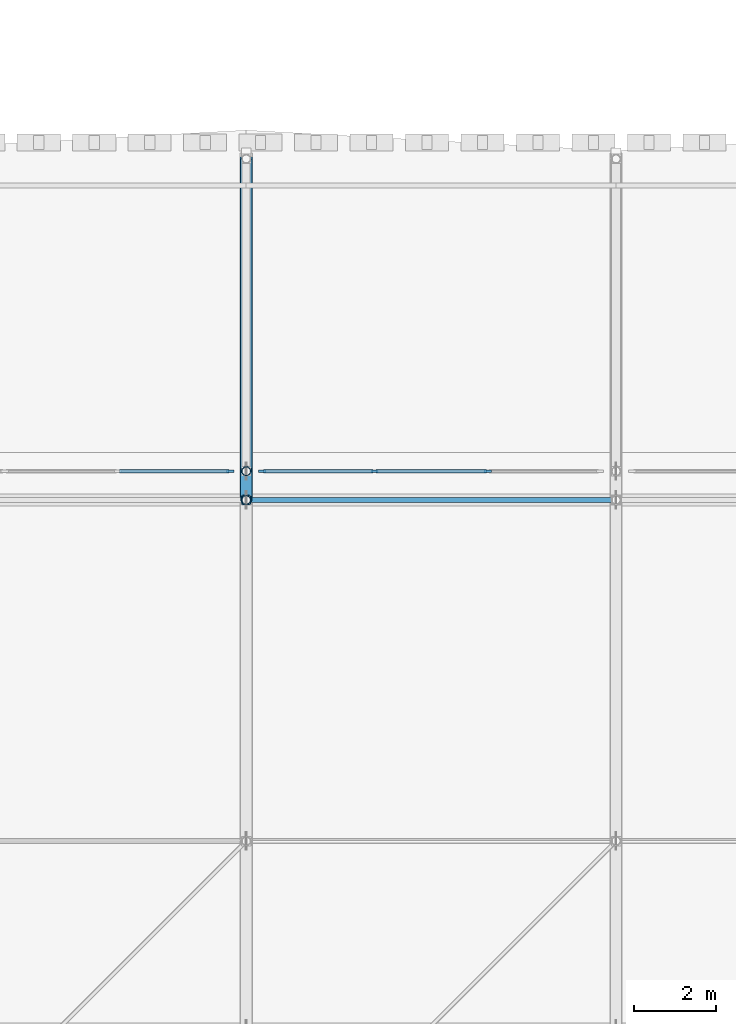
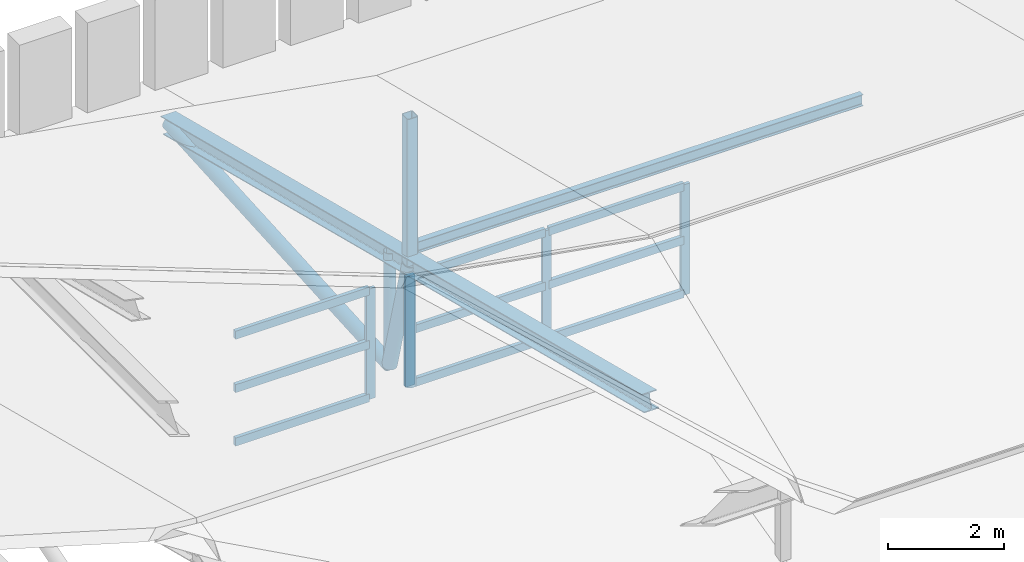
# One storey, part 8 of 42: 20 members, 2 elements without a shape of their own.
"""IFC4 building model written with IfcOpenShell, lengths in metres."""

from ifc_helpers import new_model, si_unit, direction, frame, origin, origin_2d, place, context, subcontext, project, spatial, rectangle, hollow_rectangle, hollow_circle, i_section, extrude, material, material_profile, profile_set, type_object, element, aggregate, save


model = new_model("IFC4")

# Units and contexts
model_context = context("Model", 3, precision=1e-05, world=origin(), true_north=direction((0.0, 1.0)))
body_context = subcontext(model_context, "Body", "Model", "MODEL_VIEW")
ifc_project = project(units=[si_unit("LENGTHUNIT", "METRE"), si_unit("AREAUNIT", "SQUARE_METRE"), si_unit("VOLUMEUNIT", "CUBIC_METRE"), si_unit("PLANEANGLEUNIT", "RADIAN"), si_unit("MASSUNIT", "GRAM", prefix="KILO")], contexts=[model_context])

# Site, building, storey
site_placement = place(None, origin())
site = spatial("IfcSite", under=ifc_project, at=site_placement, CompositionType="ELEMENT")
building_placement = place(site_placement, origin())
building = spatial("IfcBuilding", under=site, at=building_placement, Name="Bozkorgan Art Gallery", CompositionType="ELEMENT")
storey_placement = place(building_placement, frame((0.0, 0.0, 28.800048828125)))
storey = spatial("IfcBuildingStorey", under=building, at=storey_placement, Name="RF", CompositionType="ELEMENT", Elevation=28.800048828125)

# Curtain wall, member
ifc_material_1 = material(Name="Anodised Bronze Aluminium", Category="aluminium")
curtain_wall_type = type_object("IfcCurtainWallType", Name="CW-CW-28", PredefinedType="NOTDEFINED", material=ifc_material_1)
curtain_wall_1_placement = place(storey_placement, origin())
curtain_wall_1 = element("IfcCurtainWall", 1, at=curtain_wall_1_placement, inside=storey, type_object=curtain_wall_type, Name="RF unitised curtain wall CW-RF-V1-N-11", PredefinedType="NOTDEFINED")
ifc_material_profile_1 = material_profile(ifc_material_1, rectangle(XDim=0.06494140625, YDim=0.179931640625, at=origin_2d()), Name="ALU MULLION 65x180")
ifc_profile_set_1 = profile_set([ifc_material_profile_1], Name="Anodised Bronze Aluminium")
member_type_1 = type_object("IfcMemberType", Name="CWM-01", PredefinedType="MULLION", material=ifc_profile_set_1)
member_1_placement = place(storey_placement, frame((19.607421875, 20.0, -0.324951171875), z_axis=(0.0, 0.0, 1.0), x_axis=(0.0, 1.0, 0.0)))
member_1 = element("IfcMember", 2, at=member_1_placement, type_object=member_type_1, Name="CW-28 mullion 4", PredefinedType="MULLION", context=body_context, shape_type="SweptSolid", body=[
    extrude(rectangle(XDim=0.06494140625, YDim=0.179931640625, at=origin_2d()), origin(), (0.0, 0.0, 1.0), 2.324951171875),
])

# Curtain wall, members
curtain_wall_2_placement = place(storey_placement, origin())
curtain_wall_2 = element("IfcCurtainWall", 3, at=curtain_wall_2_placement, inside=storey, type_object=curtain_wall_type, Name="RF unitised curtain wall CW-RF-V1-N-20", PredefinedType="NOTDEFINED")
member_2_placement = place(storey_placement, frame((20.392578125, 20.0, -0.324951171875), z_axis=(0.0, 0.0, 1.0), x_axis=(0.0, 1.0, 0.0)))
member_2 = element("IfcMember", 4, at=member_2_placement, type_object=member_type_1, Name="CW-28 mullion 1", PredefinedType="MULLION", context=body_context, shape_type="SweptSolid", body=[
    extrude(rectangle(XDim=0.06494140625, YDim=0.179931640625, at=origin_2d()), origin(), (0.0, 0.0, 1.0), 2.324951171875),
])
member_3_placement = place(storey_placement, frame((23.1201171875, 20.0, -0.324951171875), z_axis=(0.0, 0.0, 1.0), x_axis=(0.0, 1.0, 0.0)))
member_3 = element("IfcMember", 5, at=member_3_placement, type_object=member_type_1, Name="CW-28 mullion 2", PredefinedType="MULLION", context=body_context, shape_type="SweptSolid", body=[
    extrude(rectangle(XDim=0.06494140625, YDim=0.179931640625, at=origin_2d()), origin(), (0.0, 0.0, 1.0), 2.324951171875),
])
member_4_placement = place(storey_placement, frame((25.8798828125, 20.0, -0.324951171875), z_axis=(0.0, 0.0, 1.0), x_axis=(0.0, 1.0, 0.0)))
member_4 = element("IfcMember", 6, at=member_4_placement, type_object=member_type_1, Name="CW-28 mullion 3", PredefinedType="MULLION", context=body_context, shape_type="SweptSolid", body=[
    extrude(rectangle(XDim=0.06494140625, YDim=0.179931640625, at=origin_2d()), origin(), (0.0, 0.0, 1.0), 2.324951171875),
])

# Member
ifc_material_profile_2 = material_profile(ifc_material_1, rectangle(XDim=0.074951171875, YDim=0.169921875, at=origin_2d()), Name="ALU TRANSOM 75x170")
ifc_profile_set_2 = profile_set([ifc_material_profile_2], Name="Anodised Bronze Aluminium")
member_type_2 = type_object("IfcMemberType", Name="CWT-02", PredefinedType="USERDEFINED", material=ifc_profile_set_2)
member_5_placement = place(storey_placement, frame((16.91259765625, 20.0, -0.28759765625), z_axis=(1.0, 0.0, 0.0), x_axis=(0.0, 1.0, 0.0)))
member_5 = element("IfcMember", 7, at=member_5_placement, type_object=member_type_2, Name="CW-28 transom 3.1", ObjectType="TRANSOM", PredefinedType="USERDEFINED", context=body_context, shape_type="SweptSolid", body=[
    extrude(rectangle(XDim=0.074951171875, YDim=0.169921875, at=origin_2d()), origin(), (0.0, 0.0, 1.0), 2.662353515625),
])

member_6_placement = place(storey_placement, frame((16.91259765625, 20.0, 0.837890625), z_axis=(1.0, 0.0, 0.0), x_axis=(0.0, 1.0, 0.0)))
member_6 = element("IfcMember", 8, at=member_6_placement, type_object=member_type_2, Name="CW-28 transom 3.2", ObjectType="TRANSOM", PredefinedType="USERDEFINED", context=body_context, shape_type="SweptSolid", body=[
    extrude(rectangle(XDim=0.074951171875, YDim=0.169921875, at=origin_2d()), origin(), (0.0, 0.0, 1.0), 2.662353515625),
])

member_7_placement = place(storey_placement, frame((16.91259765625, 20.0, 1.96240234375), z_axis=(1.0, 0.0, 0.0), x_axis=(0.0, 1.0, 0.0)))
member_7 = element("IfcMember", 9, at=member_7_placement, type_object=member_type_2, Name="CW-28 transom 3.3", ObjectType="TRANSOM", PredefinedType="USERDEFINED", context=body_context, shape_type="SweptSolid", body=[
    extrude(rectangle(XDim=0.074951171875, YDim=0.169921875, at=origin_2d()), origin(), (0.0, 0.0, 1.0), 2.662353515625),
])

aggregate(curtain_wall_1, [member_1, member_5, member_6, member_7])

member_8_placement = place(storey_placement, frame((20.425048828125, 20.0, -0.28759765625), z_axis=(1.0, 0.0, 0.0), x_axis=(0.0, 1.0, 0.0)))
member_8 = element("IfcMember", 10, at=member_8_placement, type_object=member_type_2, Name="CW-28 transom 1.1", ObjectType="TRANSOM", PredefinedType="USERDEFINED", context=body_context, shape_type="SweptSolid", body=[
    extrude(rectangle(XDim=0.074951171875, YDim=0.169921875, at=origin_2d()), origin(), (0.0, 0.0, 1.0), 2.662353515625),
])

member_9_placement = place(storey_placement, frame((20.425048828125, 20.0, 0.837890625), z_axis=(1.0, 0.0, 0.0), x_axis=(0.0, 1.0, 0.0)))
member_9 = element("IfcMember", 11, at=member_9_placement, type_object=member_type_2, Name="CW-28 transom 1.2", ObjectType="TRANSOM", PredefinedType="USERDEFINED", context=body_context, shape_type="SweptSolid", body=[
    extrude(rectangle(XDim=0.074951171875, YDim=0.169921875, at=origin_2d()), origin(), (0.0, 0.0, 1.0), 2.662353515625),
])

member_10_placement = place(storey_placement, frame((20.425048828125, 20.0, 1.96240234375), z_axis=(1.0, 0.0, 0.0), x_axis=(0.0, 1.0, 0.0)))
member_10 = element("IfcMember", 12, at=member_10_placement, type_object=member_type_2, Name="CW-28 transom 1.3", ObjectType="TRANSOM", PredefinedType="USERDEFINED", context=body_context, shape_type="SweptSolid", body=[
    extrude(rectangle(XDim=0.074951171875, YDim=0.169921875, at=origin_2d()), origin(), (0.0, 0.0, 1.0), 2.662353515625),
])

member_11_placement = place(storey_placement, frame((23.152587890625, 20.0, -0.28759765625), z_axis=(1.0, 0.0, 0.0), x_axis=(0.0, 1.0, 0.0)))
member_11 = element("IfcMember", 13, at=member_11_placement, type_object=member_type_2, Name="CW-28 transom 2.1", ObjectType="TRANSOM", PredefinedType="USERDEFINED", context=body_context, shape_type="SweptSolid", body=[
    extrude(rectangle(XDim=0.074951171875, YDim=0.169921875, at=origin_2d()), origin(), (0.0, 0.0, 1.0), 2.69482421875),
])

member_12_placement = place(storey_placement, frame((23.152587890625, 20.0, 0.837890625), z_axis=(1.0, 0.0, 0.0), x_axis=(0.0, 1.0, 0.0)))
member_12 = element("IfcMember", 14, at=member_12_placement, type_object=member_type_2, Name="CW-28 transom 2.2", ObjectType="TRANSOM", PredefinedType="USERDEFINED", context=body_context, shape_type="SweptSolid", body=[
    extrude(rectangle(XDim=0.074951171875, YDim=0.169921875, at=origin_2d()), origin(), (0.0, 0.0, 1.0), 2.69482421875),
])

member_13_placement = place(storey_placement, frame((23.152587890625, 20.0, 1.96240234375), z_axis=(1.0, 0.0, 0.0), x_axis=(0.0, 1.0, 0.0)))
member_13 = element("IfcMember", 15, at=member_13_placement, type_object=member_type_2, Name="CW-28 transom 2.3", ObjectType="TRANSOM", PredefinedType="USERDEFINED", context=body_context, shape_type="SweptSolid", body=[
    extrude(rectangle(XDim=0.074951171875, YDim=0.169921875, at=origin_2d()), origin(), (0.0, 0.0, 1.0), 2.69482421875),
])

aggregate(curtain_wall_2, [member_2, member_3, member_4, member_8, member_9, member_10, member_11, member_12, member_13])

# Members
ifc_material_2 = material(Name="Steel S355J2", Category="steel")
ifc_material_profile_3 = material_profile(ifc_material_2, hollow_rectangle(XDim=0.219970703125, YDim=0.219970703125, WallThickness=0.012451171875, InnerFilletRadius=0.018798828125, OuterFilletRadius=0.03125, at=origin_2d()), Name="SHS 220x220x12.5")
ifc_profile_set_3 = profile_set([ifc_material_profile_3], Name="Steel S355J2")
member_type_3 = type_object("IfcMemberType", Name="MEMBER-CP-34", PredefinedType="POST", material=ifc_profile_set_3)
member_14_placement = place(storey_placement, frame((20.0, 19.300048828125, 2.826904296875), z_axis=(0.0, 0.0, 1.0), x_axis=(1.0, 0.0, 0.0)))
element("IfcMember", 16, at=member_14_placement, inside=storey, type_object=member_type_3, Name="V1 upper clerestory truss post 2N", PredefinedType="POST", context=body_context, shape_type="SweptSolid", body=[
    extrude(hollow_rectangle(XDim=0.219970703125, YDim=0.219970703125, WallThickness=0.012451171875, InnerFilletRadius=0.018798828125, OuterFilletRadius=0.03125, at=origin_2d()), origin(), (0.0, 0.0, 1.0), 3.09814453125),
])
ifc_material_profile_4 = material_profile(ifc_material_2, i_section(OverallWidth=0.1201171875, OverallDepth=0.239990234375, WebThickness=0.006103515625, FlangeThickness=0.009765625, FilletRadius=0.014892578125, at=origin_2d()), Name="IPE 240")
ifc_profile_set_4 = profile_set([ifc_material_profile_4], Name="Steel S355J2")
member_type_4 = type_object("IfcMemberType", Name="MEMBER-PR-34", PredefinedType="PURLIN", material=ifc_profile_set_4)
member_15_placement = place(storey_placement, frame((20.0, 19.300048828125, 3.1220703125), z_axis=(1.0, 0.0, 0.0), x_axis=(0.0, 1.0, 0.0)))
element("IfcMember", 17, at=member_15_placement, inside=storey, type_object=member_type_4, Name="ROOF-V1-MAIN roof purlin 3N", PredefinedType="PURLIN", context=body_context, shape_type="SweptSolid", body=[
    extrude(i_section(OverallWidth=0.1201171875, OverallDepth=0.239990234375, WebThickness=0.006103515625, FlangeThickness=0.009765625, FilletRadius=0.014892578125, at=origin_2d()), origin(), (0.0, 0.0, 1.0), 9.0),
])
ifc_material_profile_5 = material_profile(ifc_material_2, i_section(OverallWidth=0.300048828125, OverallDepth=0.35009765625, WebThickness=0.010009765625, FlangeThickness=0.017578125, FilletRadius=0.027099609375, at=origin_2d()), Name="HEA 360")
ifc_profile_set_5 = profile_set([ifc_material_profile_5], Name="Steel S355J2")
member_type_5 = type_object("IfcMemberType", Name="MEMBER-TC-31", PredefinedType="CHORD", material=ifc_profile_set_5)
member_16_placement = place(storey_placement, frame((20.0, 11.0, 4.92724609375), z_axis=(0.0, 0.969442389879, -0.245319083452), x_axis=(-1.0, 0.0, 0.0)))
element("IfcMember", 18, at=member_16_placement, inside=storey, type_object=member_type_5, Name="ROOF-V1-MAIN roof truss 3 north top chord", PredefinedType="CHORD", context=body_context, shape_type="SweptSolid", body=[
    extrude(i_section(OverallWidth=0.300048828125, OverallDepth=0.35009765625, WebThickness=0.010009765625, FlangeThickness=0.017578125, FilletRadius=0.027099609375, at=origin_2d()), origin(), (0.0, 0.0, 1.0), 17.123291015625),
])
ifc_material_profile_6 = material_profile(ifc_material_2, hollow_circle(Radius=0.109619140625, WallThickness=0.010009765625, at=origin_2d()), Name="CHS 219.1x10")
ifc_profile_set_6 = profile_set([ifc_material_profile_6], Name="Steel S355J2")
member_type_6 = type_object("IfcMemberType", Name="MEMBER-TP-78", PredefinedType="POST", material=ifc_profile_set_6)
member_17_placement = place(storey_placement, frame((20.0, 19.300048828125, 0.25), z_axis=(0.0, 0.0, 1.0), x_axis=(1.0, 0.0, 0.0)))
element("IfcMember", 19, at=member_17_placement, inside=storey, type_object=member_type_6, Name="ROOF-V1-MAIN roof truss 3 post 3", PredefinedType="POST", context=body_context, shape_type="SweptSolid", body=[
    extrude(hollow_circle(Radius=0.109619140625, WallThickness=0.010009765625, at=origin_2d()), origin(), (0.0, 0.0, 1.0), 2.576904296875),
])
member_18_placement = place(storey_placement, frame((20.0, 20.0, 0.25), z_axis=(0.0, 0.0, 1.0), x_axis=(1.0, 0.0, 0.0)))
element("IfcMember", 20, at=member_18_placement, inside=storey, type_object=member_type_6, Name="ROOF-V1-MAIN roof truss 3 post 4", PredefinedType="POST", context=body_context, shape_type="SweptSolid", body=[
    extrude(hollow_circle(Radius=0.109619140625, WallThickness=0.010009765625, at=origin_2d()), origin(), (0.0, 0.0, 1.0), 2.39990234375),
])
ifc_material_profile_7 = material_profile(ifc_material_2, hollow_circle(Radius=0.136474609375, WallThickness=0.012451171875, at=origin_2d()), Name="CHS 273x12.5")
ifc_profile_set_7 = profile_set([ifc_material_profile_7], Name="Steel S355J2")
member_type_7 = type_object("IfcMemberType", Name="MEMBER-TW-28", PredefinedType="BRACE", material=ifc_profile_set_7)
member_19_placement = place(storey_placement, frame((20.0, 19.300048828125, 2.826904296875), z_axis=(0.0, 0.262127020499, -0.965033380316), x_axis=(-1.0, 0.0, 0.0)))
element("IfcMember", 21, at=member_19_placement, inside=storey, type_object=member_type_7, Name="ROOF-V1-MAIN roof truss 3 diagonal 4", PredefinedType="BRACE", context=body_context, shape_type="SweptSolid", body=[
    extrude(hollow_circle(Radius=0.136474609375, WallThickness=0.012451171875, at=origin_2d()), origin(), (0.0, 0.0, 1.0), 2.670166015625),
])
member_20_placement = place(storey_placement, frame((20.0, 20.0, 0.25), z_axis=(0.0, 0.998039833362, 0.062581874549), x_axis=(-1.0, 0.0, 0.0)))
element("IfcMember", 22, at=member_20_placement, inside=storey, type_object=member_type_7, Name="ROOF-V1-MAIN roof truss 3 diagonal 5", PredefinedType="BRACE", context=body_context, shape_type="SweptSolid", body=[
    extrude(hollow_circle(Radius=0.136474609375, WallThickness=0.012451171875, at=origin_2d()), origin(), (0.0, 0.0, 1.0), 7.614990234375),
])

save(model, "model.ifc")
